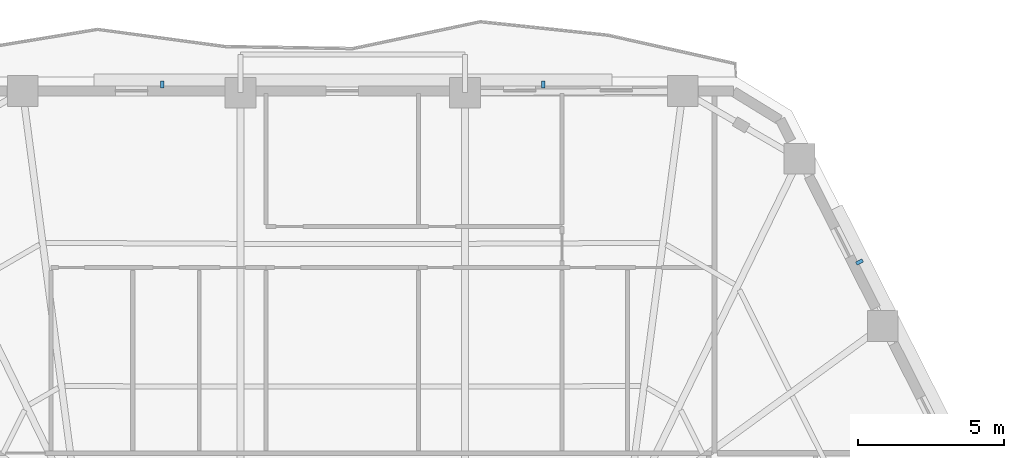
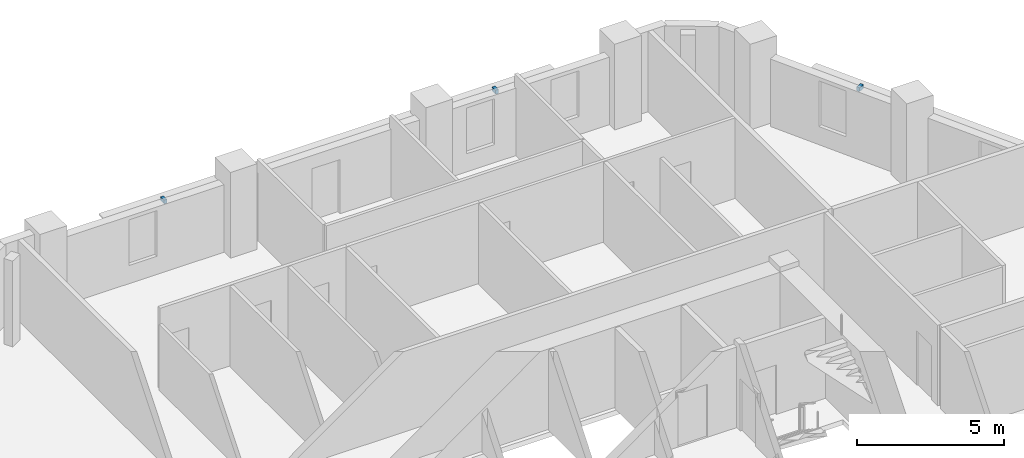
# One storey, part 9 of 12: 3 discrete accessories.
"""IFC4 building model written with IfcOpenShell, lengths in metres."""

from ifc_helpers import new_model, si_unit, direction, frame, origin, origin_2d, place, context, subcontext, project, spatial, rectangle, extrude, material, type_object, element, save


model = new_model("IFC4")

# Units and contexts
model_context = context("Model", 3, precision=1e-05, world=origin(), true_north=direction((0.0, 1.0)))
body_context = subcontext(model_context, "Body", "Model", "MODEL_VIEW")
ifc_project = project(units=[si_unit("LENGTHUNIT", "METRE"), si_unit("AREAUNIT", "SQUARE_METRE"), si_unit("VOLUMEUNIT", "CUBIC_METRE"), si_unit("PLANEANGLEUNIT", "RADIAN"), si_unit("MASSUNIT", "GRAM", prefix="KILO")], contexts=[model_context])

# Site, building, storey
site_placement = place(None, origin())
site = spatial("IfcSite", under=ifc_project, at=site_placement, CompositionType="ELEMENT")
building_placement = place(site_placement, origin())
building = spatial("IfcBuilding", under=site, at=building_placement, Name="Cinnabar Lancet Tower", CompositionType="ELEMENT")
storey_placement = place(building_placement, frame((0.0, 0.0, 141.0)))
storey = spatial("IfcBuildingStorey", under=building, at=storey_placement, Name="L37", CompositionType="ELEMENT", Elevation=141.0)

# Discrete accessories
ifc_material = material(Name="Stainless steel 316 facade fixing bracket", Category="steel")
discrete_accessory_type = type_object("IfcDiscreteAccessoryType", Name="ENV-ACC-BRK-180", PredefinedType="BRACKET", material=ifc_material)
for number, where, z_axis, x_axis, name in (
    (1, (49.698974609375, 41.827880859375, 2.60009765625), (0.0, 0.0, 1.0), (-0.451453853408, 0.892294468347, 0.0), "L37 Face 3 Sunshade Bracket B"),
    (2, (38.90087890625, 47.889892578125, 2.60009765625), (0.0, 0.0, 1.0), (-1.0, 0.0, 0.0), "L37 Face 4 Sunshade Bracket A"),
    (3, (25.89892578125, 47.889892578125, 2.60009765625), (0.0, 0.0, 1.0), (-1.0, 0.0, 0.0), "L37 Face 4 Sunshade Bracket B"),
):
    element("IfcDiscreteAccessory", number, at=place(storey_placement, frame(where, z_axis=z_axis, x_axis=x_axis)), inside=storey, type_object=discrete_accessory_type, Name=name, PredefinedType="BRACKET", context=body_context, shape_type="SweptSolid", body=[
        extrude(rectangle(XDim=0.1201171875, YDim=0.239990234375, at=origin_2d()), origin(), (0.0, 0.0, 1.0), 0.159912109375),
    ])

save(model, "model.ifc")
